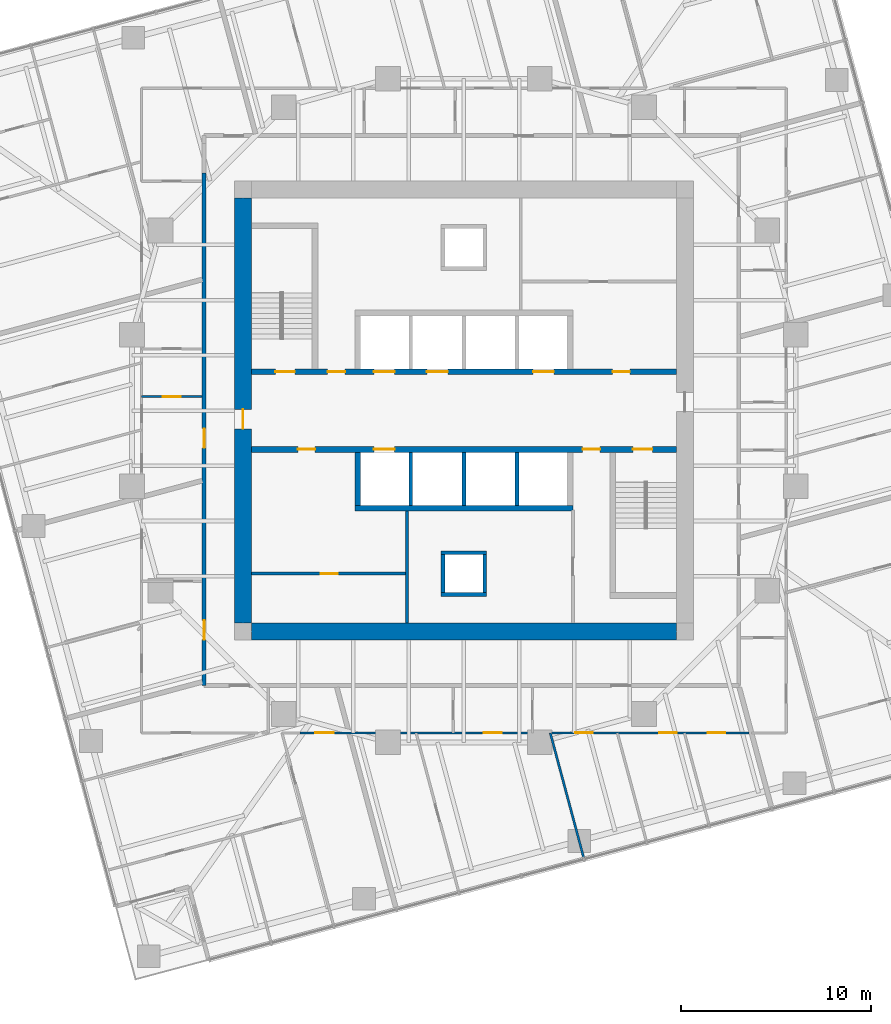
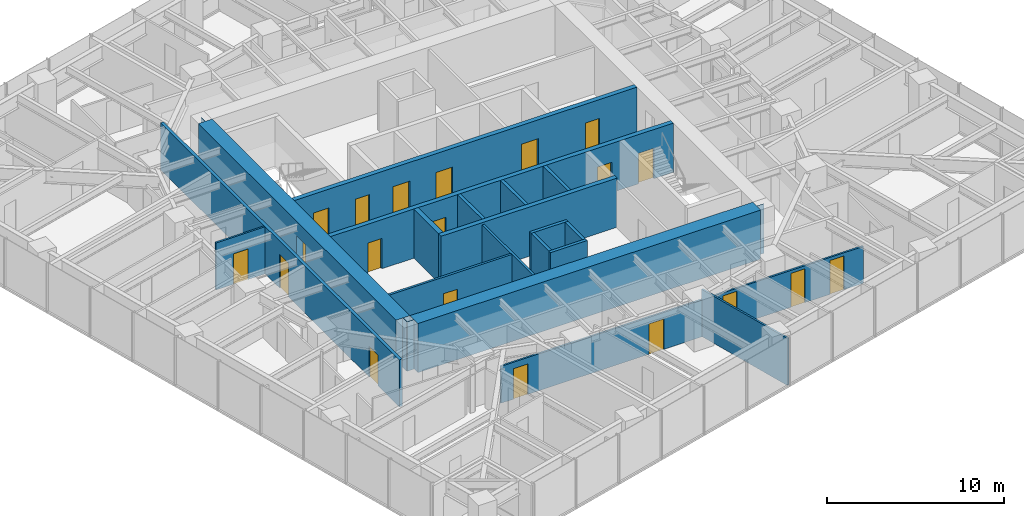
# One storey, part 9 of 14: 20 doors, 19 walls, 20 openings.
"""IFC4 building model written with IfcOpenShell, lengths in metres."""

from ifc_helpers import new_model, si_unit, direction, frame, frame_2d, origin, place, context, subcontext, project, spatial, polyline, rectangle, outline, extrude, material, layer, layer_set, type_object, element, fill, save


model = new_model("IFC4")

# Units and contexts
model_context = context("Model", 3, precision=1e-05, world=origin(), true_north=direction((0.0, 1.0)))
body_context = subcontext(model_context, "Body", "Model", "MODEL_VIEW")
ifc_project = project(units=[si_unit("LENGTHUNIT", "METRE"), si_unit("AREAUNIT", "SQUARE_METRE"), si_unit("VOLUMEUNIT", "CUBIC_METRE"), si_unit("PLANEANGLEUNIT", "RADIAN"), si_unit("MASSUNIT", "GRAM", prefix="KILO")], contexts=[model_context])

# Site, building, storey
site_placement = place(None, origin())
site = spatial("IfcSite", under=ifc_project, at=site_placement, CompositionType="ELEMENT")
building_placement = place(site_placement, origin())
building = spatial("IfcBuilding", under=site, at=building_placement, Name="Torsade Residences", CompositionType="ELEMENT")
storey_placement = place(building_placement, frame((0.0, 0.0, 111.60009765625)))
storey = spatial("IfcBuildingStorey", under=building, at=storey_placement, Name="L30", CompositionType="ELEMENT", Elevation=111.60009765625)

# Wall, openings, doors
ifc_material_1 = material(Name="Concrete 80 MPa", Category="concrete")
ifc_layer_1 = layer(ifc_material_1, 0.300048828125)
ifc_layer_set_1 = layer_set([ifc_layer_1], Name="Concrete 80 MPa")
wall_type_1 = type_object("IfcWallType", Name="CORE INTERNAL WALL 300", PredefinedType="SHEAR", material=ifc_layer_set_1)
wall_1_placement = place(storey_placement, frame((28.800048828125, 32.050048828125, 0.0), z_axis=(0.0, 0.0, 1.0), x_axis=(1.0, 0.0, 0.0)))
wall_1 = element("IfcWall", 1, at=wall_1_placement, inside=storey, type_object=wall_type_1, Name="Core wall LN L30", PredefinedType="SHEAR", context=body_context, shape_type="SweptSolid", body=[
    extrude(rectangle(XDim=22.39990234375, YDim=0.300048828125, at=frame_2d((11.199951171875, 0.0))), origin(), (0.0, 0.0, 1.0), 3.39990234375),
])
opening_1_placement = place(wall_1_placement, frame((19.0400390625, 0.0, 0.0)))
opening_1 = element("IfcOpeningElement", 2, at=opening_1_placement, cuts=wall_1, Name="Opening D06", PredefinedType="OPENING", context=body_context, shape_type="SweptSolid", body=[
    extrude(rectangle(XDim=0.919921875, YDim=2.10009765625, at=frame_2d((0.4599609375, 1.050048828125))), frame((0.0, 0.159912109375, 0.0), z_axis=(0.0, -1.0, 0.0), x_axis=(1.0, 0.0, 0.0)), (0.0, 0.0, 1.0), 0.320068359375),
])
opening_2_placement = place(wall_1_placement, frame((1.264892578125, 0.0, 0.0)))
opening_2 = element("IfcOpeningElement", 3, at=opening_2_placement, cuts=wall_1, Name="Opening D03", PredefinedType="OPENING", context=body_context, shape_type="SweptSolid", body=[
    extrude(rectangle(XDim=1.02001953125, YDim=2.10009765625, at=frame_2d((0.510009765625, 1.050048828125))), frame((0.0, 0.159912109375, 0.0), z_axis=(0.0, -1.0, 0.0), x_axis=(1.0, 0.0, 0.0)), (0.0, 0.0, 1.0), 0.320068359375),
])
opening_3_placement = place(wall_1_placement, frame((4.014892578125, 0.0, 0.0)))
opening_3 = element("IfcOpeningElement", 4, at=opening_3_placement, cuts=wall_1, Name="Opening D06", PredefinedType="OPENING", context=body_context, shape_type="SweptSolid", body=[
    extrude(rectangle(XDim=0.919921875, YDim=2.10009765625, at=frame_2d((0.4599609375, 1.050048828125))), frame((0.0, 0.159912109375, 0.0), z_axis=(0.0, -1.0, 0.0), x_axis=(1.0, 0.0, 0.0)), (0.0, 0.0, 1.0), 0.320068359375),
])
opening_4_placement = place(wall_1_placement, frame((6.449951171875, 0.0, 0.0)))
opening_4 = element("IfcOpeningElement", 5, at=opening_4_placement, cuts=wall_1, Name="Opening LD", PredefinedType="OPENING", context=body_context, shape_type="SweptSolid", body=[
    extrude(rectangle(XDim=1.10009765625, YDim=2.10009765625, at=frame_2d((0.550048828125, 1.050048828125))), frame((0.0, 0.159912109375, 0.0), z_axis=(0.0, -1.0, 0.0), x_axis=(1.0, 0.0, 0.0)), (0.0, 0.0, 1.0), 0.320068359375),
])
opening_5_placement = place(wall_1_placement, frame((9.25, 0.0, 0.0)))
opening_5 = element("IfcOpeningElement", 6, at=opening_5_placement, cuts=wall_1, Name="Opening LD", PredefinedType="OPENING", context=body_context, shape_type="SweptSolid", body=[
    extrude(rectangle(XDim=1.10009765625, YDim=2.10009765625, at=frame_2d((0.550048828125, 1.050048828125))), frame((0.0, 0.159912109375, 0.0), z_axis=(0.0, -1.0, 0.0), x_axis=(1.0, 0.0, 0.0)), (0.0, 0.0, 1.0), 0.320068359375),
])
opening_6_placement = place(wall_1_placement, frame((14.85009765625, 0.0, 0.0)))
opening_6 = element("IfcOpeningElement", 7, at=opening_6_placement, cuts=wall_1, Name="Opening LD", PredefinedType="OPENING", context=body_context, shape_type="SweptSolid", body=[
    extrude(rectangle(XDim=1.10009765625, YDim=2.10009765625, at=frame_2d((0.550048828125, 1.050048828125))), frame((0.0, 0.159912109375, 0.0), z_axis=(0.0, -1.0, 0.0), x_axis=(1.0, 0.0, 0.0)), (0.0, 0.0, 1.0), 0.320068359375),
])
ifc_material_2 = material(Name="Steel-framed fire door", Category="steel")
door_type_1 = type_object("IfcDoorType", Name="FIRE DOOR 1020", OperationType="NOTDEFINED", PredefinedType="DOOR", material=ifc_material_2)
door_1_placement = place(opening_2_placement, origin())
door_1 = element("IfcDoor", 8, at=door_1_placement, inside=storey, type_object=door_type_1, Name="Exit door to fire-isolated stair ST1 L30", OperationType="SINGLE_SWING_RIGHT", OverallHeight=2.10009765625, OverallWidth=1.02001953125, PredefinedType="DOOR", context=body_context, shape_type="SweptSolid", body=[
    extrude(rectangle(XDim=1.02001953125, YDim=2.10009765625, at=frame_2d((0.510009765625, 1.050048828125))), frame((0.0, 0.02490234375, 0.0), z_axis=(0.0, -1.0, 0.0), x_axis=(1.0, 0.0, 0.0)), (0.0, 0.0, 1.0), 0.050048828125),
])
fill(opening_2, door_1)
ifc_material_3 = material(Name="Steel-framed fire door", Category="steel")
door_type_2 = type_object("IfcDoorType", Name="FIRE DOOR 920", OperationType="NOTDEFINED", PredefinedType="DOOR", material=ifc_material_3)
door_2_placement = place(opening_1_placement, origin())
door_2 = element("IfcDoor", 9, at=door_2_placement, inside=storey, type_object=door_type_2, Name="Door Lift lobby to Refuse room", OperationType="SINGLE_SWING_LEFT", OverallHeight=2.10009765625, OverallWidth=0.919921875, PredefinedType="DOOR", context=body_context, shape_type="SweptSolid", body=[
    extrude(rectangle(XDim=0.919921875, YDim=2.10009765625, at=frame_2d((0.4599609375, 1.050048828125))), frame((0.0, 0.02490234375, 0.0), z_axis=(0.0, -1.0, 0.0), x_axis=(1.0, 0.0, 0.0)), (0.0, 0.0, 1.0), 0.050048828125),
])
fill(opening_1, door_2)
door_3_placement = place(opening_3_placement, origin())
door_3 = element("IfcDoor", 10, at=door_3_placement, inside=storey, type_object=door_type_2, Name="Door Lift lobby to Electrical riser room", OperationType="SINGLE_SWING_LEFT", OverallHeight=2.10009765625, OverallWidth=0.919921875, PredefinedType="DOOR", context=body_context, shape_type="SweptSolid", body=[
    extrude(rectangle(XDim=0.919921875, YDim=2.10009765625, at=frame_2d((0.4599609375, 1.050048828125))), frame((0.0, 0.02490234375, 0.0), z_axis=(0.0, -1.0, 0.0), x_axis=(1.0, 0.0, 0.0)), (0.0, 0.0, 1.0), 0.050048828125),
])
fill(opening_3, door_3)
ifc_material_4 = material(Name="Stainless steel lift landing door", Category="steel")
door_type_3 = type_object("IfcDoorType", Name="LIFT LANDING DOOR 1100", OperationType="SLIDING_TO_LEFT", PredefinedType="DOOR", material=ifc_material_4)
door_4_placement = place(opening_4_placement, origin())
door_4 = element("IfcDoor", 11, at=door_4_placement, inside=storey, type_object=door_type_3, Name="Lift LA1 landing door L30", OperationType="SLIDING_TO_LEFT", OverallHeight=2.10009765625, OverallWidth=1.10009765625, PredefinedType="DOOR", context=body_context, shape_type="SweptSolid", body=[
    extrude(rectangle(XDim=1.10009765625, YDim=2.10009765625, at=frame_2d((0.550048828125, 1.050048828125))), frame((0.0, 0.02490234375, 0.0), z_axis=(0.0, -1.0, 0.0), x_axis=(1.0, 0.0, 0.0)), (0.0, 0.0, 1.0), 0.050048828125),
])
fill(opening_4, door_4)
door_5_placement = place(opening_5_placement, origin())
door_5 = element("IfcDoor", 12, at=door_5_placement, inside=storey, type_object=door_type_3, Name="Lift LA2 landing door L30", OperationType="SLIDING_TO_LEFT", OverallHeight=2.10009765625, OverallWidth=1.10009765625, PredefinedType="DOOR", context=body_context, shape_type="SweptSolid", body=[
    extrude(rectangle(XDim=1.10009765625, YDim=2.10009765625, at=frame_2d((0.550048828125, 1.050048828125))), frame((0.0, 0.02490234375, 0.0), z_axis=(0.0, -1.0, 0.0), x_axis=(1.0, 0.0, 0.0)), (0.0, 0.0, 1.0), 0.050048828125),
])
fill(opening_5, door_5)
door_6_placement = place(opening_6_placement, origin())
door_6 = element("IfcDoor", 13, at=door_6_placement, inside=storey, type_object=door_type_3, Name="Lift FL1 landing door L30", OperationType="SLIDING_TO_LEFT", OverallHeight=2.10009765625, OverallWidth=1.10009765625, PredefinedType="DOOR", context=body_context, shape_type="SweptSolid", body=[
    extrude(rectangle(XDim=1.10009765625, YDim=2.10009765625, at=frame_2d((0.550048828125, 1.050048828125))), frame((0.0, 0.02490234375, 0.0), z_axis=(0.0, -1.0, 0.0), x_axis=(1.0, 0.0, 0.0)), (0.0, 0.0, 1.0), 0.050048828125),
])
fill(opening_6, door_6)

wall_2_placement = place(storey_placement, frame((51.199951171875, 27.949951171875, 0.0), z_axis=(0.0, 0.0, 1.0), x_axis=(-1.0, 0.0, 0.0)))
wall_2 = element("IfcWall", 14, at=wall_2_placement, inside=storey, type_object=wall_type_1, Name="Core wall LS L30", PredefinedType="SHEAR", context=body_context, shape_type="SweptSolid", body=[
    extrude(rectangle(XDim=22.39990234375, YDim=0.300048828125, at=frame_2d((11.199951171875, 0.0))), origin(), (0.0, 0.0, 1.0), 3.39990234375),
])
opening_7_placement = place(wall_2_placement, frame((19.0400390625, 0.0, 0.0)))
opening_7 = element("IfcOpeningElement", 15, at=opening_7_placement, cuts=wall_2, Name="Opening D06", PredefinedType="OPENING", context=body_context, shape_type="SweptSolid", body=[
    extrude(rectangle(XDim=0.919921875, YDim=2.10009765625, at=frame_2d((0.4599609375, 1.050048828125))), frame((0.0, 0.159912109375, 0.0), z_axis=(0.0, -1.0, 0.0), x_axis=(1.0, 0.0, 0.0)), (0.0, 0.0, 1.0), 0.320068359375),
])
opening_8_placement = place(wall_2_placement, frame((1.264892578125, 0.0, 0.0)))
opening_8 = element("IfcOpeningElement", 16, at=opening_8_placement, cuts=wall_2, Name="Opening D03", PredefinedType="OPENING", context=body_context, shape_type="SweptSolid", body=[
    extrude(rectangle(XDim=1.02001953125, YDim=2.10009765625, at=frame_2d((0.510009765625, 1.050048828125))), frame((0.0, 0.159912109375, 0.0), z_axis=(0.0, -1.0, 0.0), x_axis=(1.0, 0.0, 0.0)), (0.0, 0.0, 1.0), 0.320068359375),
])
opening_9_placement = place(wall_2_placement, frame((4.014892578125, 0.0, 0.0)))
opening_9 = element("IfcOpeningElement", 17, at=opening_9_placement, cuts=wall_2, Name="Opening D06", PredefinedType="OPENING", context=body_context, shape_type="SweptSolid", body=[
    extrude(rectangle(XDim=0.919921875, YDim=2.10009765625, at=frame_2d((0.4599609375, 1.050048828125))), frame((0.0, 0.159912109375, 0.0), z_axis=(0.0, -1.0, 0.0), x_axis=(1.0, 0.0, 0.0)), (0.0, 0.0, 1.0), 0.320068359375),
])
opening_10_placement = place(wall_2_placement, frame((14.85009765625, 0.0, 0.0)))
opening_10 = element("IfcOpeningElement", 18, at=opening_10_placement, cuts=wall_2, Name="Opening LD", PredefinedType="OPENING", context=body_context, shape_type="SweptSolid", body=[
    extrude(rectangle(XDim=1.10009765625, YDim=2.10009765625, at=frame_2d((0.550048828125, 1.050048828125))), frame((0.0, 0.159912109375, 0.0), z_axis=(0.0, -1.0, 0.0), x_axis=(1.0, 0.0, 0.0)), (0.0, 0.0, 1.0), 0.320068359375),
])
door_7_placement = place(opening_8_placement, origin())
door_7 = element("IfcDoor", 19, at=door_7_placement, inside=storey, type_object=door_type_1, Name="Exit door to fire-isolated stair ST2 L30", OperationType="SINGLE_SWING_RIGHT", OverallHeight=2.10009765625, OverallWidth=1.02001953125, PredefinedType="DOOR", context=body_context, shape_type="SweptSolid", body=[
    extrude(rectangle(XDim=1.02001953125, YDim=2.10009765625, at=frame_2d((0.510009765625, 1.050048828125))), frame((0.0, 0.02490234375, 0.0), z_axis=(0.0, -1.0, 0.0), x_axis=(1.0, 0.0, 0.0)), (0.0, 0.0, 1.0), 0.050048828125),
])
fill(opening_8, door_7)
door_8_placement = place(opening_7_placement, origin())
door_8 = element("IfcDoor", 20, at=door_8_placement, inside=storey, type_object=door_type_2, Name="Door Lift lobby to Cleaner store", OperationType="SINGLE_SWING_LEFT", OverallHeight=2.10009765625, OverallWidth=0.919921875, PredefinedType="DOOR", context=body_context, shape_type="SweptSolid", body=[
    extrude(rectangle(XDim=0.919921875, YDim=2.10009765625, at=frame_2d((0.4599609375, 1.050048828125))), frame((0.0, 0.02490234375, 0.0), z_axis=(0.0, -1.0, 0.0), x_axis=(1.0, 0.0, 0.0)), (0.0, 0.0, 1.0), 0.050048828125),
])
fill(opening_7, door_8)
door_9_placement = place(opening_9_placement, origin())
door_9 = element("IfcDoor", 21, at=door_9_placement, inside=storey, type_object=door_type_2, Name="Door Lift lobby to Security and data store", OperationType="SINGLE_SWING_RIGHT", OverallHeight=2.10009765625, OverallWidth=0.919921875, PredefinedType="DOOR", context=body_context, shape_type="SweptSolid", body=[
    extrude(rectangle(XDim=0.919921875, YDim=2.10009765625, at=frame_2d((0.4599609375, 1.050048828125))), frame((0.0, 0.02490234375, 0.0), z_axis=(0.0, -1.0, 0.0), x_axis=(1.0, 0.0, 0.0)), (0.0, 0.0, 1.0), 0.050048828125),
])
fill(opening_9, door_9)
door_10_placement = place(opening_10_placement, origin())
door_10 = element("IfcDoor", 22, at=door_10_placement, inside=storey, type_object=door_type_3, Name="Lift FL2 landing door L30", OperationType="SLIDING_TO_LEFT", OverallHeight=2.10009765625, OverallWidth=1.10009765625, PredefinedType="DOOR", context=body_context, shape_type="SweptSolid", body=[
    extrude(rectangle(XDim=1.10009765625, YDim=2.10009765625, at=frame_2d((0.550048828125, 1.050048828125))), frame((0.0, 0.02490234375, 0.0), z_axis=(0.0, -1.0, 0.0), x_axis=(1.0, 0.0, 0.0)), (0.0, 0.0, 1.0), 0.050048828125),
])
fill(opening_10, door_10)

# Walls
wall_3_placement = place(storey_placement, frame((45.75, 24.85009765625, 0.0), z_axis=(0.0, 0.0, 1.0), x_axis=(-1.0, 0.0, 0.0)))
element("IfcWall", 23, at=wall_3_placement, inside=storey, type_object=wall_type_1, Name="Core wall BS L30", PredefinedType="SHEAR", context=body_context, shape_type="SweptSolid", body=[
    extrude(rectangle(XDim=11.5, YDim=0.300048828125, at=frame_2d((5.75, 0.0))), origin(), (0.0, 0.0, 1.0), 3.39990234375),
])
wall_4_placement = place(storey_placement, frame((34.39990234375, 27.800048828125, 0.0), z_axis=(0.0, 0.0, 1.0), x_axis=(0.0, -1.0, 0.0)))
element("IfcWall", 24, at=wall_4_placement, inside=storey, type_object=wall_type_1, Name="Core wall DS4 L30", PredefinedType="SHEAR", context=body_context, shape_type="SweptSolid", body=[
    extrude(rectangle(XDim=2.800048828125, YDim=0.300048828125, at=frame_2d((1.39990234375, 0.0))), origin(), (0.0, 0.0, 1.0), 3.39990234375),
])
ifc_material_5 = material(Name="Concrete 80 MPa", Category="concrete")
ifc_layer_2 = layer(ifc_material_5, 0.89990234375)
ifc_layer_set_2 = layer_set([ifc_layer_2], Name="Concrete 80 MPa")
wall_type_2 = type_object("IfcWallType", Name="CORE WALL 900", PredefinedType="SHEAR", material=ifc_layer_set_2)
wall_5_placement = place(storey_placement, frame((51.199951171875, 18.35009765625, 0.0), z_axis=(0.0, 0.0, 1.0), x_axis=(-1.0, 0.0, 0.0)))
element("IfcWall", 25, at=wall_5_placement, inside=storey, type_object=wall_type_2, Name="Core wall S L30", PredefinedType="SHEAR", context=body_context, shape_type="SweptSolid", body=[
    extrude(outline(polyline([(0.0, -0.449951171875), (22.39990234375, -0.449951171875), (22.39990234375, -0.02490234375), (22.849853515625, -0.02490234375), (22.849853515625, 0.02490234375), (22.39990234375, 0.02490234375), (22.39990234375, 0.449951171875), (0.0, 0.449951171875), (0.0, 0.02490234375), (-0.449951171875, 0.02490234375), (-0.449951171875, -0.02490234375), (0.0, -0.02490234375), (0.0, -0.449951171875)])), origin(), (0.0, 0.0, 1.0), 3.39990234375),
])

# Wall, opening, door
wall_6_placement = place(storey_placement, frame((28.35009765625, 41.199951171875, 0.0), z_axis=(0.0, 0.0, 1.0), x_axis=(0.0, -1.0, 0.0)))
wall_6 = element("IfcWall", 26, at=wall_6_placement, inside=storey, type_object=wall_type_2, Name="Core wall W L30", PredefinedType="SHEAR", context=body_context, shape_type="SweptSolid", body=[
    extrude(outline(polyline([(0.0, -0.449951171875), (22.39990234375, -0.449951171875), (22.39990234375, -0.02490234375), (22.849853515625, -0.02490234375), (22.849853515625, 0.02490234375), (22.39990234375, 0.02490234375), (22.39990234375, 0.449951171875), (0.0, 0.449951171875), (0.0, 0.02490234375), (-0.449951171875, 0.02490234375), (-0.449951171875, -0.02490234375), (0.0, -0.02490234375), (0.0, -0.449951171875)])), origin(), (0.0, 0.0, 1.0), 3.39990234375),
])
opening_11_placement = place(wall_6_placement, frame((11.139892578125, 0.0, 0.0)))
opening_11 = element("IfcOpeningElement", 27, at=opening_11_placement, cuts=wall_6, Name="Opening D04", PredefinedType="OPENING", context=body_context, shape_type="SweptSolid", body=[
    extrude(rectangle(XDim=1.02001953125, YDim=2.39990234375, at=frame_2d((0.510009765625, 1.199951171875))), frame((0.0, 0.4599609375, 0.0), z_axis=(0.0, -1.0, 0.0), x_axis=(1.0, 0.0, 0.0)), (0.0, 0.0, 1.0), 0.919921875),
])
ifc_material_6 = material(Name="Steel-framed fire door", Category="steel")
door_type_4 = type_object("IfcDoorType", Name="LOBBY SMOKE DOOR 1020x2400", OperationType="NOTDEFINED", PredefinedType="DOOR", material=ifc_material_6)
door_11_placement = place(opening_11_placement, origin())
door_11 = element("IfcDoor", 28, at=door_11_placement, inside=storey, type_object=door_type_4, Name="Lift lobby door W L30", OperationType="SINGLE_SWING_RIGHT", OverallHeight=2.39990234375, OverallWidth=1.02001953125, PredefinedType="DOOR", context=body_context, shape_type="SweptSolid", body=[
    extrude(rectangle(XDim=1.02001953125, YDim=2.39990234375, at=frame_2d((0.510009765625, 1.199951171875))), frame((0.0, 0.02490234375, 0.0), z_axis=(0.0, -1.0, 0.0), x_axis=(1.0, 0.0, 0.0)), (0.0, 0.0, 1.0), 0.050048828125),
])
fill(opening_11, door_11)

# Wall, openings, doors
ifc_material_7 = material(Name="Plasterboard on steel stud", Category="steel")
ifc_layer_3 = layer(ifc_material_7, 0.199951171875)
ifc_layer_set_3 = layer_set([ifc_layer_3], Name="Plasterboard on steel stud")
wall_type_3 = type_object("IfcWallType", Name="CORRIDOR WALL 200", PredefinedType="PARTITIONING", material=ifc_layer_set_3)
wall_7_placement = place(storey_placement, frame((26.300048828125, 42.52001953125, 0.0), z_axis=(0.0, 0.0, 1.0), x_axis=(0.0, -1.0, 0.0)))
wall_7 = element("IfcWall", 29, at=wall_7_placement, inside=storey, type_object=wall_type_3, Name="Corridor wall L30", PredefinedType="PARTITIONING", context=body_context, shape_type="SweptSolid", body=[
    extrude(rectangle(XDim=27.02001953125, YDim=0.199951171875, at=frame_2d((13.510009765625, 0.0))), origin(), (0.0, 0.0, 1.0), 3.25),
])
opening_12_placement = place(wall_7_placement, frame((23.583984375, 0.0, 0.0)))
opening_12 = element("IfcOpeningElement", 30, at=opening_12_placement, cuts=wall_7, Name="Opening D01L", PredefinedType="OPENING", context=body_context, shape_type="SweptSolid", body=[
    extrude(rectangle(XDim=1.02001953125, YDim=2.10009765625, at=frame_2d((0.510009765625, 1.050048828125))), frame((0.0, 0.10986328125, 0.0), z_axis=(0.0, -1.0, 0.0), x_axis=(1.0, 0.0, 0.0)), (0.0, 0.0, 1.0), 0.219970703125),
])
opening_13_placement = place(wall_7_placement, frame((13.468017578125, 0.0, 0.0)))
opening_13 = element("IfcOpeningElement", 31, at=opening_13_placement, cuts=wall_7, Name="Opening D01", PredefinedType="OPENING", context=body_context, shape_type="SweptSolid", body=[
    extrude(rectangle(XDim=1.02001953125, YDim=2.340087890625, at=frame_2d((0.510009765625, 1.169921875))), frame((0.0, 0.10986328125, 0.0), z_axis=(0.0, -1.0, 0.0), x_axis=(1.0, 0.0, 0.0)), (0.0, 0.0, 1.0), 0.219970703125),
])
ifc_material_8 = material(Name="Solid-core timber fire door", Category="wood")
door_type_5 = type_object("IfcDoorType", Name="APARTMENT ENTRY DOOR 1020x2100", OperationType="NOTDEFINED", PredefinedType="DOOR", material=ifc_material_8)
door_12_placement = place(opening_12_placement, origin())
door_12 = element("IfcDoor", 32, at=door_12_placement, inside=storey, type_object=door_type_5, Name="Door Residential corridor to Kitchen and dining", OperationType="SINGLE_SWING_RIGHT", OverallHeight=2.10009765625, OverallWidth=1.02001953125, PredefinedType="DOOR", context=body_context, shape_type="SweptSolid", body=[
    extrude(rectangle(XDim=1.02001953125, YDim=2.10009765625, at=frame_2d((0.510009765625, 1.050048828125))), frame((0.0, 0.02490234375, 0.0), z_axis=(0.0, -1.0, 0.0), x_axis=(1.0, 0.0, 0.0)), (0.0, 0.0, 1.0), 0.050048828125),
])
fill(opening_12, door_12)
ifc_material_9 = material(Name="Solid-core timber fire door", Category="wood")
door_type_6 = type_object("IfcDoorType", Name="APARTMENT ENTRY DOOR 1020x2340", OperationType="NOTDEFINED", PredefinedType="DOOR", material=ifc_material_9)
door_13_placement = place(opening_13_placement, origin())
door_13 = element("IfcDoor", 33, at=door_13_placement, inside=storey, type_object=door_type_6, Name="Door Residential corridor to Kitchen and dining", OperationType="SINGLE_SWING_RIGHT", OverallHeight=2.340087890625, OverallWidth=1.02001953125, PredefinedType="DOOR", context=body_context, shape_type="SweptSolid", body=[
    extrude(rectangle(XDim=1.02001953125, YDim=2.340087890625, at=frame_2d((0.510009765625, 1.169921875))), frame((0.0, 0.02490234375, 0.0), z_axis=(0.0, -1.0, 0.0), x_axis=(1.0, 0.0, 0.0)), (0.0, 0.0, 1.0), 0.050048828125),
])
fill(opening_13, door_13)

# Walls
ifc_material_10 = material(Name="Reinforced blockwork", Category="masonry")
ifc_layer_4 = layer(ifc_material_10, 0.199951171875)
ifc_layer_set_4 = layer_set([ifc_layer_4], Name="Reinforced blockwork")
wall_type_4 = type_object("IfcWallType", Name="LIFT SHAFT DIVIDING WALL 200", PredefinedType="SOLIDWALL", material=ifc_layer_set_4)
for number, where, z_axis, x_axis, name in (
    (34, (42.800048828125, 27.800048828125, 0.0), (0.0, 0.0, 1.0), (0.0, -1.0, 0.0), "Core wall DS1 L30"),
    (35, (40.0, 27.800048828125, 0.0), (0.0, 0.0, 1.0), (0.0, -1.0, 0.0), "Core wall DS2 L30"),
    (36, (37.199951171875, 27.800048828125, 0.0), (0.0, 0.0, 1.0), (0.0, -1.0, 0.0), "Core wall DS3 L30"),
):
    element("IfcWall", number, at=place(storey_placement, frame(where, z_axis=z_axis, x_axis=x_axis)), inside=storey, type_object=wall_type_4, Name=name, PredefinedType="SOLIDWALL", context=body_context, shape_type="SweptSolid", body=[
        extrude(rectangle(XDim=2.800048828125, YDim=0.199951171875, at=frame_2d((1.39990234375, 0.0))), origin(), (0.0, 0.0, 1.0), 3.39990234375),
    ])

# Wall, openings, doors
ifc_material_11 = material(Name="Plasterboard on steel stud", Category="steel")
ifc_layer_5 = layer(ifc_material_11, 0.1201171875)
ifc_layer_set_5 = layer_set([ifc_layer_5], Name="Plasterboard on steel stud")
wall_type_5 = type_object("IfcWallType", Name="PARTITION 120", PredefinedType="PARTITIONING", material=ifc_layer_set_5)
wall_8_placement = place(storey_placement, frame((55.046142578125, 13.0, 0.0), z_axis=(0.0, 0.0, 1.0), x_axis=(-1.0, 0.0, 0.0)))
wall_8 = element("IfcWall", 37, at=wall_8_placement, inside=storey, type_object=wall_type_5, Name="Partition L30", PredefinedType="PARTITIONING", context=body_context, shape_type="SweptSolid", body=[
    extrude(rectangle(XDim=23.692626953125, YDim=0.1201171875, at=frame_2d((11.84619140625, 0.0))), origin(), (0.0, 0.0, 1.0), 2.5498046875),
])
opening_14_placement = place(wall_8_placement, frame((8.262451171875, 0.0, 0.0)))
opening_14 = element("IfcOpeningElement", 38, at=opening_14_placement, cuts=wall_8, Name="Opening D02", PredefinedType="OPENING", context=body_context, shape_type="SweptSolid", body=[
    extrude(rectangle(XDim=0.919921875, YDim=2.340087890625, at=frame_2d((0.4599609375, 1.169921875))), frame((0.0, 0.070068359375, 0.0), z_axis=(0.0, -1.0, 0.0), x_axis=(1.0, 0.0, 0.0)), (0.0, 0.0, 1.0), 0.14013671875),
])
opening_15_placement = place(wall_8_placement, frame((3.8251953125, 0.0, 0.0)))
opening_15 = element("IfcOpeningElement", 39, at=opening_15_placement, cuts=wall_8, Name="Opening D02", PredefinedType="OPENING", context=body_context, shape_type="SweptSolid", body=[
    extrude(rectangle(XDim=0.919921875, YDim=2.340087890625, at=frame_2d((0.4599609375, 1.169921875))), frame((0.0, 0.070068359375, 0.0), z_axis=(0.0, -1.0, 0.0), x_axis=(1.0, 0.0, 0.0)), (0.0, 0.0, 1.0), 0.14013671875),
])
opening_16_placement = place(wall_8_placement, frame((1.274169921875, 0.0, 0.0)))
opening_16 = element("IfcOpeningElement", 40, at=opening_16_placement, cuts=wall_8, Name="Opening D02", PredefinedType="OPENING", context=body_context, shape_type="SweptSolid", body=[
    extrude(rectangle(XDim=0.919921875, YDim=2.340087890625, at=frame_2d((0.4599609375, 1.169921875))), frame((0.0, 0.070068359375, 0.0), z_axis=(0.0, -1.0, 0.0), x_axis=(1.0, 0.0, 0.0)), (0.0, 0.0, 1.0), 0.14013671875),
])
opening_17_placement = place(wall_8_placement, frame((13.041259765625, 0.0, 0.0)))
opening_17 = element("IfcOpeningElement", 41, at=opening_17_placement, cuts=wall_8, Name="Opening D05", PredefinedType="OPENING", context=body_context, shape_type="SweptSolid", body=[
    extrude(rectangle(XDim=0.9599609375, YDim=2.10009765625, at=frame_2d((0.47998046875, 1.050048828125))), frame((0.0, 0.070068359375, 0.0), z_axis=(0.0, -1.0, 0.0), x_axis=(1.0, 0.0, 0.0)), (0.0, 0.0, 1.0), 0.14013671875),
])
opening_18_placement = place(wall_8_placement, frame((21.91748046875, 0.0, 0.0)))
opening_18 = element("IfcOpeningElement", 42, at=opening_18_placement, cuts=wall_8, Name="Opening D05", PredefinedType="OPENING", context=body_context, shape_type="SweptSolid", body=[
    extrude(rectangle(XDim=0.9599609375, YDim=2.10009765625, at=frame_2d((0.47998046875, 1.050048828125))), frame((0.0, 0.070068359375, 0.0), z_axis=(0.0, -1.0, 0.0), x_axis=(1.0, 0.0, 0.0)), (0.0, 0.0, 1.0), 0.14013671875),
])
ifc_material_12 = material(Name="Hollow-core timber door in a steel cavity frame", Category="steel")
door_type_7 = type_object("IfcDoorType", Name="BATHROOM CAVITY SLIDING DOOR 960", OperationType="SLIDING_TO_LEFT", PredefinedType="DOOR", material=ifc_material_12)
door_14_placement = place(opening_17_placement, origin())
door_14 = element("IfcDoor", 43, at=door_14_placement, inside=storey, type_object=door_type_7, Name="Door Ensuite to Living room", OperationType="SLIDING_TO_LEFT", OverallHeight=2.10009765625, OverallWidth=0.9599609375, PredefinedType="DOOR", context=body_context, shape_type="SweptSolid", body=[
    extrude(rectangle(XDim=0.9599609375, YDim=2.10009765625, at=frame_2d((0.47998046875, 1.050048828125))), frame((0.0, 0.02490234375, 0.0), z_axis=(0.0, -1.0, 0.0), x_axis=(1.0, 0.0, 0.0)), (0.0, 0.0, 1.0), 0.050048828125),
])
fill(opening_17, door_14)
door_15_placement = place(opening_18_placement, origin())
door_15 = element("IfcDoor", 44, at=door_15_placement, inside=storey, type_object=door_type_7, Name="Door Bedroom 1 to Ensuite", OperationType="SLIDING_TO_LEFT", OverallHeight=2.10009765625, OverallWidth=0.9599609375, PredefinedType="DOOR", context=body_context, shape_type="SweptSolid", body=[
    extrude(rectangle(XDim=0.9599609375, YDim=2.10009765625, at=frame_2d((0.47998046875, 1.050048828125))), frame((0.0, 0.02490234375, 0.0), z_axis=(0.0, -1.0, 0.0), x_axis=(1.0, 0.0, 0.0)), (0.0, 0.0, 1.0), 0.050048828125),
])
fill(opening_18, door_15)
ifc_material_13 = material(Name="Hollow-core timber door", Category="wood")
door_type_8 = type_object("IfcDoorType", Name="INTERNAL DOOR 920x2340", OperationType="NOTDEFINED", PredefinedType="DOOR", material=ifc_material_13)
door_16_placement = place(opening_14_placement, origin())
door_16 = element("IfcDoor", 45, at=door_16_placement, inside=storey, type_object=door_type_8, Name="Door Kitchen and dining to Bedroom 2", OperationType="SINGLE_SWING_RIGHT", OverallHeight=2.340087890625, OverallWidth=0.919921875, PredefinedType="DOOR", context=body_context, shape_type="SweptSolid", body=[
    extrude(rectangle(XDim=0.919921875, YDim=2.340087890625, at=frame_2d((0.4599609375, 1.169921875))), frame((0.0, 0.02490234375, 0.0), z_axis=(0.0, -1.0, 0.0), x_axis=(1.0, 0.0, 0.0)), (0.0, 0.0, 1.0), 0.050048828125),
])
fill(opening_14, door_16)
door_17_placement = place(opening_15_placement, origin())
door_17 = element("IfcDoor", 46, at=door_17_placement, inside=storey, type_object=door_type_8, Name="Door Kitchen and dining to Bedroom 3", OperationType="SINGLE_SWING_LEFT", OverallHeight=2.340087890625, OverallWidth=0.919921875, PredefinedType="DOOR", context=body_context, shape_type="SweptSolid", body=[
    extrude(rectangle(XDim=0.919921875, YDim=2.340087890625, at=frame_2d((0.4599609375, 1.169921875))), frame((0.0, 0.02490234375, 0.0), z_axis=(0.0, -1.0, 0.0), x_axis=(1.0, 0.0, 0.0)), (0.0, 0.0, 1.0), 0.050048828125),
])
fill(opening_15, door_17)
door_18_placement = place(opening_16_placement, origin())
door_18 = element("IfcDoor", 47, at=door_18_placement, inside=storey, type_object=door_type_8, Name="Door Kitchen and dining to Study", OperationType="SINGLE_SWING_RIGHT", OverallHeight=2.340087890625, OverallWidth=0.919921875, PredefinedType="DOOR", context=body_context, shape_type="SweptSolid", body=[
    extrude(rectangle(XDim=0.919921875, YDim=2.340087890625, at=frame_2d((0.4599609375, 1.169921875))), frame((0.0, 0.02490234375, 0.0), z_axis=(0.0, -1.0, 0.0), x_axis=(1.0, 0.0, 0.0)), (0.0, 0.0, 1.0), 0.050048828125),
])
fill(opening_16, door_18)

# Wall
wall_9_placement = place(storey_placement, frame((44.55517578125, 13.0, 0.0), z_axis=(0.0, 0.0, 1.0), x_axis=(0.258829770556, -0.965922952349, 0.0)))
element("IfcWall", 48, at=wall_9_placement, inside=storey, type_object=wall_type_5, Name="Partition L30", PredefinedType="PARTITIONING", context=body_context, shape_type="SweptSolid", body=[
    extrude(rectangle(XDim=6.8603515625, YDim=0.1201171875, at=frame_2d((3.43017578125, 0.0))), origin(), (0.0, 0.0, 1.0), 3.25),
])

# Wall, opening, door
wall_10_placement = place(storey_placement, frame((23.0, 30.737060546875, 0.0), z_axis=(0.0, 0.0, 1.0), x_axis=(1.0, 0.0, 0.0)))
wall_10 = element("IfcWall", 49, at=wall_10_placement, inside=storey, type_object=wall_type_5, Name="Partition L30", PredefinedType="PARTITIONING", context=body_context, shape_type="SweptSolid", body=[
    extrude(rectangle(XDim=3.199951171875, YDim=0.1201171875, at=frame_2d((1.60009765625, 0.0))), origin(), (0.0, 0.0, 1.0), 3.25),
])
opening_19_placement = place(wall_10_placement, frame((1.1201171875, 0.0, 0.0)))
opening_19 = element("IfcOpeningElement", 50, at=opening_19_placement, cuts=wall_10, Name="Opening D05", PredefinedType="OPENING", context=body_context, shape_type="SweptSolid", body=[
    extrude(rectangle(XDim=0.9599609375, YDim=2.10009765625, at=frame_2d((0.47998046875, 1.050048828125))), frame((0.0, 0.070068359375, 0.0), z_axis=(0.0, -1.0, 0.0), x_axis=(1.0, 0.0, 0.0)), (0.0, 0.0, 1.0), 0.14013671875),
])
door_19_placement = place(opening_19_placement, origin())
door_19 = element("IfcDoor", 51, at=door_19_placement, inside=storey, type_object=door_type_7, Name="Door Kitchen and dining to Ensuite", OperationType="SLIDING_TO_LEFT", OverallHeight=2.10009765625, OverallWidth=0.9599609375, PredefinedType="DOOR", context=body_context, shape_type="SweptSolid", body=[
    extrude(rectangle(XDim=0.9599609375, YDim=2.10009765625, at=frame_2d((0.47998046875, 1.050048828125))), frame((0.0, 0.02490234375, 0.0), z_axis=(0.0, -1.0, 0.0), x_axis=(1.0, 0.0, 0.0)), (0.0, 0.0, 1.0), 0.050048828125),
])
fill(opening_19, door_19)

# Walls
ifc_material_14 = material(Name="Reinforced blockwork", Category="masonry")
ifc_layer_6 = layer(ifc_material_14, 0.199951171875)
ifc_layer_set_6 = layer_set([ifc_layer_6], Name="Reinforced blockwork")
wall_type_6 = type_object("IfcWallType", Name="RISER SHAFT WALL 200", PredefinedType="SOLIDWALL", material=ifc_layer_set_6)
for number, where, z_axis, x_axis, name in (
    (52, (38.89990234375, 22.39990234375, 0.0), (0.0, 0.0, 1.0), (0.0, -1.0, 0.0), "Core wall RS2a L30"),
    (53, (41.10009765625, 22.39990234375, 0.0), (0.0, 0.0, 1.0), (0.0, -1.0, 0.0), "Core wall RS2b L30"),
):
    element("IfcWall", number, at=place(storey_placement, frame(where, z_axis=z_axis, x_axis=x_axis)), inside=storey, type_object=wall_type_6, Name=name, PredefinedType="SOLIDWALL", context=body_context, shape_type="SweptSolid", body=[
        extrude(rectangle(XDim=2.0, YDim=0.199951171875, at=frame_2d((1.0, 0.0))), origin(), (0.0, 0.0, 1.0), 3.39990234375),
    ])
for number, where, z_axis, x_axis, name in (
    (54, (38.800048828125, 22.5, 0.0), (0.0, 0.0, 1.0), (1.0, 0.0, 0.0), "Core wall RS2c L30"),
    (55, (38.800048828125, 20.300048828125, 0.0), (0.0, 0.0, 1.0), (1.0, 0.0, 0.0), "Core wall RS2d L30"),
):
    element("IfcWall", number, at=place(storey_placement, frame(where, z_axis=z_axis, x_axis=x_axis)), inside=storey, type_object=wall_type_6, Name=name, PredefinedType="SOLIDWALL", context=body_context, shape_type="SweptSolid", body=[
        extrude(rectangle(XDim=2.39990234375, YDim=0.199951171875, at=frame_2d((1.199951171875, 0.0))), origin(), (0.0, 0.0, 1.0), 3.39990234375),
    ])
ifc_material_15 = material(Name="Reinforced blockwork", Category="masonry")
ifc_layer_7 = layer(ifc_material_15, 0.14990234375)
ifc_layer_set_7 = layer_set([ifc_layer_7], Name="Reinforced blockwork")
wall_type_7 = type_object("IfcWallType", Name="SERVICE ROOM WALL 150", PredefinedType="SOLIDWALL", material=ifc_layer_set_7)
wall_11_placement = place(storey_placement, frame((37.0, 18.800048828125, 0.0), z_axis=(0.0, 0.0, 1.0), x_axis=(0.0, 1.0, 0.0)))
element("IfcWall", 56, at=wall_11_placement, inside=storey, type_object=wall_type_7, Name="Service room wall L30", PredefinedType="SOLIDWALL", context=body_context, shape_type="SweptSolid", body=[
    extrude(rectangle(XDim=5.89990234375, YDim=0.14990234375, at=frame_2d((2.949951171875, 0.0))), origin(), (0.0, 0.0, 1.0), 3.25),
])

# Wall, opening, door
wall_12_placement = place(storey_placement, frame((37.0, 21.39990234375, 0.0), z_axis=(0.0, 0.0, 1.0), x_axis=(-1.0, 0.0, 0.0)))
wall_12 = element("IfcWall", 57, at=wall_12_placement, inside=storey, type_object=wall_type_7, Name="Service room wall L30", PredefinedType="SOLIDWALL", context=body_context, shape_type="SweptSolid", body=[
    extrude(rectangle(XDim=8.199951171875, YDim=0.14990234375, at=frame_2d((4.10009765625, 0.0))), origin(), (0.0, 0.0, 1.0), 3.25),
])
opening_20_placement = place(wall_12_placement, frame((3.639892578125, 0.0, 0.0)))
opening_20 = element("IfcOpeningElement", 58, at=opening_20_placement, cuts=wall_12, Name="Opening D06", PredefinedType="OPENING", context=body_context, shape_type="SweptSolid", body=[
    extrude(rectangle(XDim=0.919921875, YDim=2.10009765625, at=frame_2d((0.4599609375, 1.050048828125))), frame((0.0, 0.0849609375, 0.0), z_axis=(0.0, -1.0, 0.0), x_axis=(1.0, 0.0, 0.0)), (0.0, 0.0, 1.0), 0.169921875),
])
door_20_placement = place(opening_20_placement, origin())
door_20 = element("IfcDoor", 59, at=door_20_placement, inside=storey, type_object=door_type_2, Name="Door Cleaner store to Hose reel and hydrant store", OperationType="SINGLE_SWING_RIGHT", OverallHeight=2.10009765625, OverallWidth=0.919921875, PredefinedType="DOOR", context=body_context, shape_type="SweptSolid", body=[
    extrude(rectangle(XDim=0.919921875, YDim=2.10009765625, at=frame_2d((0.4599609375, 1.050048828125))), frame((0.0, 0.02490234375, 0.0), z_axis=(0.0, -1.0, 0.0), x_axis=(1.0, 0.0, 0.0)), (0.0, 0.0, 1.0), 0.050048828125),
])
fill(opening_20, door_20)

save(model, "model.ifc")
